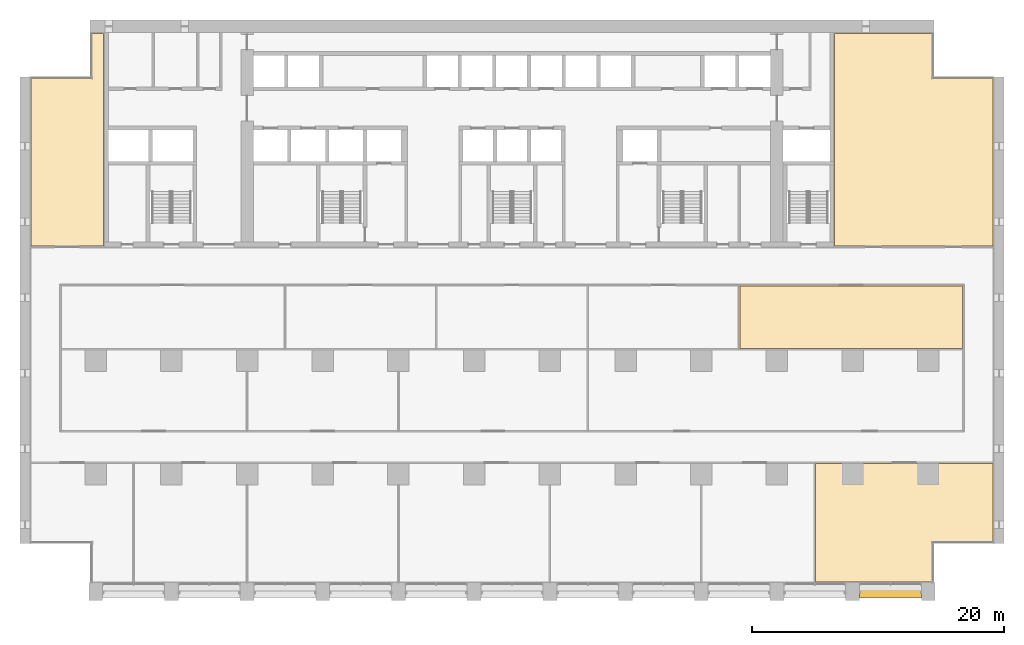
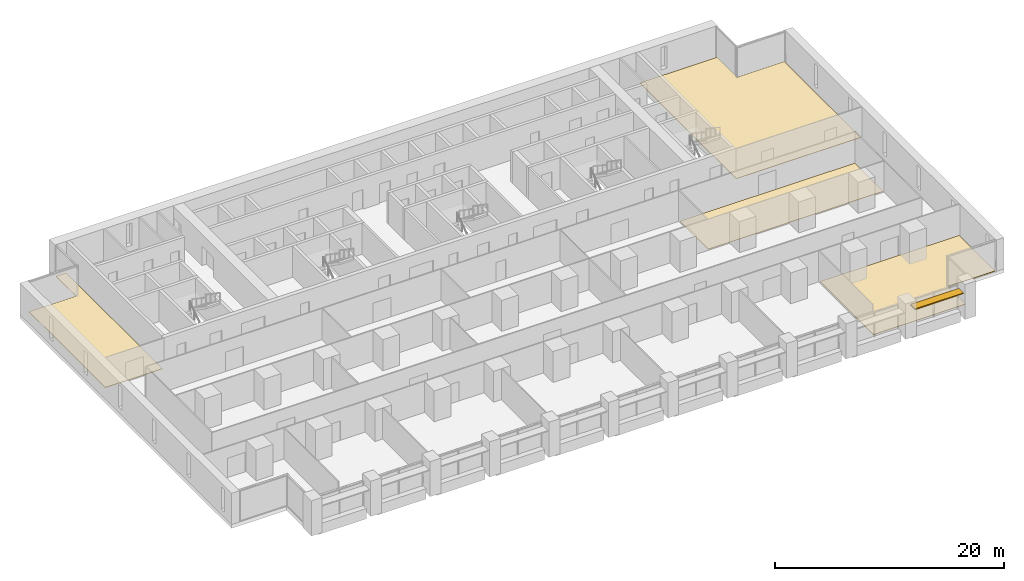
# One storey, part 18 of 18: 4 coverings, 1 shading device.
"""IFC4 building model written with IfcOpenShell, lengths in metres."""

from ifc_helpers import new_model, si_unit, direction, frame, origin, origin_2d, place, context, subcontext, project, spatial, polyline, rectangle, outline, extrude, material, layer, layer_set, material_profile, profile_set, type_object, element, save


model = new_model("IFC4")

# Units and contexts
model_context = context("Model", 3, precision=1e-05, world=origin(), true_north=direction((0.0, 1.0)))
body_context = subcontext(model_context, "Body", "Model", "MODEL_VIEW")
ifc_project = project(units=[si_unit("LENGTHUNIT", "METRE"), si_unit("AREAUNIT", "SQUARE_METRE"), si_unit("VOLUMEUNIT", "CUBIC_METRE"), si_unit("PLANEANGLEUNIT", "RADIAN"), si_unit("MASSUNIT", "GRAM", prefix="KILO")], contexts=[model_context])

# Site, building, storey
site_placement = place(None, origin())
site = spatial("IfcSite", under=ifc_project, at=site_placement, CompositionType="ELEMENT")
building_placement = place(site_placement, origin())
building = spatial("IfcBuilding", under=site, at=building_placement, Name="Calvaro Tower", CompositionType="ELEMENT")
storey_placement = place(building_placement, frame((0.0, 0.0, 52.5)))
storey = spatial("IfcBuildingStorey", under=building, at=storey_placement, Name="L12", CompositionType="ELEMENT", Elevation=52.5)

# Shading device
ifc_material_1 = material(Name="Anodised aluminium", Category="aluminium")
ifc_material_profile = material_profile(ifc_material_1, rectangle(XDim=0.800048828125, YDim=0.10009765625, at=origin_2d()), Name="Brise-soleil blade 800 x 100")
ifc_profile_set = profile_set([ifc_material_profile], Name="Anodised aluminium")
shading_device_type = type_object("IfcShadingDeviceType", Name="Brise-soleil blade 800 x 100", PredefinedType="JALOUSIE", material=ifc_profile_set)
shading_device_placement = place(storey_placement, frame((66.550048828125, 0.60009765625, 2.300048828125), z_axis=(1.0, 0.0, 0.0), x_axis=(0.0, 1.0, 0.0)))
element("IfcShadingDevice", 1, at=shading_device_placement, inside=storey, type_object=shading_device_type, Name="Brise-soleil blade 11", PredefinedType="JALOUSIE", context=body_context, shape_type="SweptSolid", body=[
    extrude(rectangle(XDim=0.800048828125, YDim=0.10009765625, at=origin_2d()), origin(), (0.0, 0.0, 1.0), 4.89990234375),
])

# Coverings
ifc_material_2 = material(Name="Cement screed with carpet tile finish")
ifc_layer = layer(ifc_material_2, 0.050048828125)
ifc_layer_set = layer_set([ifc_layer], Name="Cement screed with carpet tile finish")
covering_type = type_object("IfcCoveringType", Name="Floor finish 50", PredefinedType="FLOORING", material=ifc_layer_set)
covering_1_placement = place(storey_placement, origin())
element("IfcCovering", 2, at=covering_1_placement, inside=storey, type_object=covering_type, Name="Floor finish 11.07", PredefinedType="FLOORING", context=body_context, shape_type="SweptSolid", body=[
    extrude(outline(polyline([(77.1298828125, 4.570068359375), (72.3798828125, 4.570068359375), (72.3798828125, 1.469970703125), (63.070068359375, 1.469970703125), (63.070068359375, 10.830078125), (77.1298828125, 10.830078125), (77.1298828125, 4.570068359375)])), origin(), (0.0, 0.0, 1.0), 0.050048828125),
])
covering_2_placement = place(storey_placement, origin())
element("IfcCovering", 3, at=covering_2_placement, inside=storey, type_object=covering_type, Name="Floor finish 11.14", PredefinedType="FLOORING", context=body_context, shape_type="SweptSolid", body=[
    extrude(outline(polyline([(57.070068359375, 19.969970703125), (57.070068359375, 24.929931640625), (74.72998046875, 24.929931640625), (74.72998046875, 19.969970703125), (57.070068359375, 19.969970703125)])), origin(), (0.0, 0.0, 1.0), 0.050048828125),
])
covering_3_placement = place(storey_placement, origin())
element("IfcCovering", 4, at=covering_3_placement, inside=storey, type_object=covering_type, Name="Floor finish 11.18", PredefinedType="FLOORING", context=body_context, shape_type="SweptSolid", body=[
    extrude(outline(polyline([(6.6298828125, 28.070068359375), (0.8701171875, 28.070068359375), (0.8701171875, 41.429931640625), (5.6201171875, 41.429931640625), (5.6201171875, 44.929931640625), (6.6298828125, 44.929931640625), (6.6298828125, 28.070068359375)])), origin(), (0.0, 0.0, 1.0), 0.050048828125),
])
covering_4_placement = place(storey_placement, origin())
element("IfcCovering", 5, at=covering_4_placement, inside=storey, type_object=covering_type, Name="Floor finish 11.19", PredefinedType="FLOORING", context=body_context, shape_type="SweptSolid", body=[
    extrude(outline(polyline([(77.1298828125, 28.070068359375), (64.570068359375, 28.070068359375), (64.570068359375, 44.929931640625), (72.3798828125, 44.929931640625), (72.3798828125, 41.429931640625), (77.1298828125, 41.429931640625), (77.1298828125, 28.070068359375)])), origin(), (0.0, 0.0, 1.0), 0.050048828125),
])

save(model, "model.ifc")
